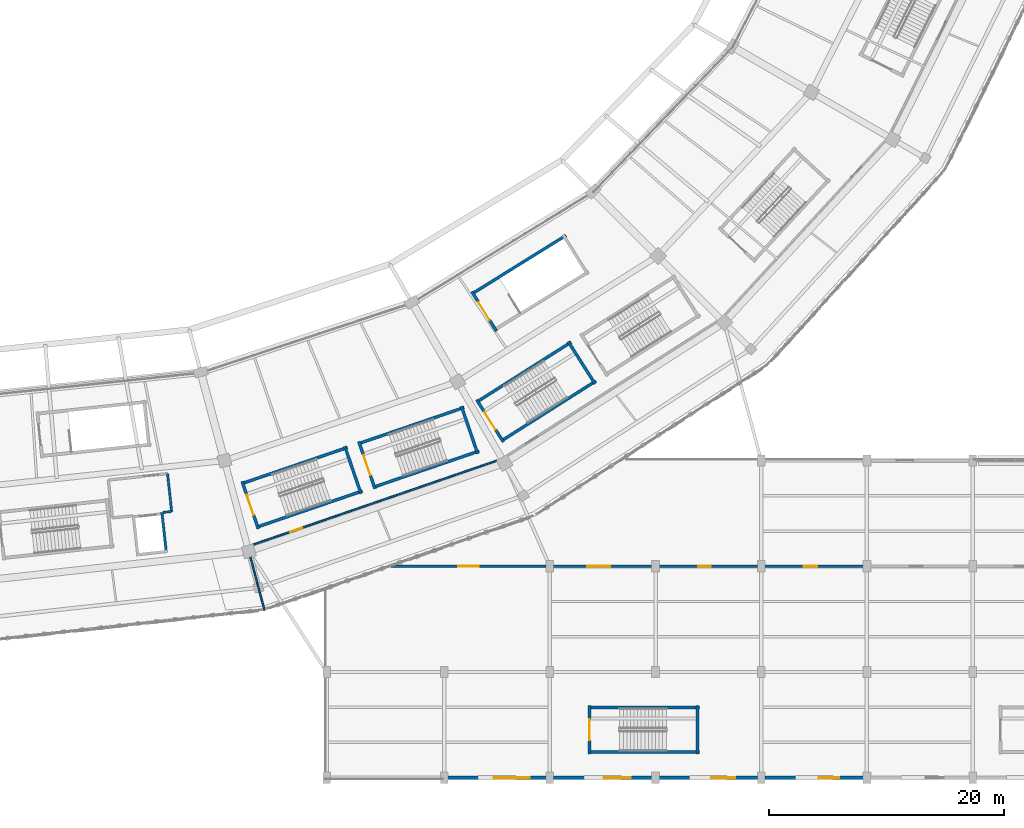
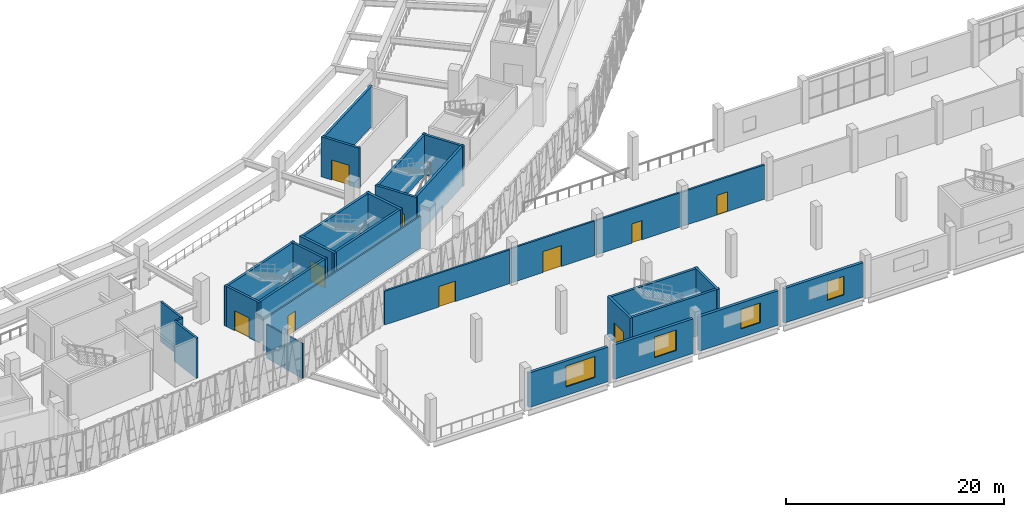
# One storey, part 102 of 179: 32 walls, 10 doors, 4 windows, 14 openings.
"""IFC4 building model written with IfcOpenShell, lengths in metres."""

import ifcopenshell
import ifcopenshell.guid

model = None  # the IFC model being written
_history = None  # IfcOwnerHistory: only IFC2X3 demands one
_inside = {}  # id of a spatial element -> (the spatial element, [elements in it])
_under = {}  # id of a project, library or spatial element -> (it, [spatial elements below it])
_declared = {}  # id of a project -> (the project, [libraries it declares])
_typed = {}  # id of a type object -> (the type object, [elements of that type])
_made_of = {}  # id of a material, layer set ... -> (it, [elements and type objects made of it])


def new_model(schema):
    """Start an empty IFC model of exactly this schema.

    Asked for "IFC4X3", IfcOpenShell would pick the latest addendum, in which some entities
    have other attributes; the version numbers below select the first issue.
    IFC2X3 requires an IfcOwnerHistory on every rooted entity: one is made here for all.
    """
    global model, _history
    if schema == "IFC4X3":
        model = ifcopenshell.file(schema_version=(4, 3, 0, 0))
    else:
        model = ifcopenshell.file(schema=schema)
    _inside.clear()
    _under.clear()
    _declared.clear()
    _typed.clear()
    _made_of.clear()
    _history = None
    if model.schema == "IFC2X3":
        org = make("IfcOrganization", Name="unknown")
        user = make(
            "IfcPersonAndOrganization",
            ThePerson=make("IfcPerson", FamilyName="unknown"),
            TheOrganization=org,
        )
        app = make(
            "IfcApplication",
            ApplicationDeveloper=org,
            Version="unknown",
            ApplicationFullName="unknown",
            ApplicationIdentifier="unknown",
        )
        _history = make(
            "IfcOwnerHistory",
            OwningUser=user,
            OwningApplication=app,
            ChangeAction="ADDED",
            CreationDate=0,
        )
    return model


def make(cls, **values):
    """One entity of the class cls with the attributes given. An attribute that is None is left unset."""
    return model.create_entity(
        cls, **{name: value for name, value in values.items() if value is not None}
    )


def rooted(cls, **values):
    """An entity with a GlobalId (a new one), such as an element, a storey or a relation."""
    return make(cls, GlobalId=ifcopenshell.guid.new(), OwnerHistory=_history, **values)


def si_unit(unit_type, name, prefix=None):
    """IfcSIUnit, for example si_unit("LENGTHUNIT", "METRE", prefix="MILLI")."""
    return make("IfcSIUnit", UnitType=unit_type, Prefix=prefix, Name=name)


def assignment(units):
    """IfcUnitAssignment: the units of a project."""
    return None if units is None else make("IfcUnitAssignment", Units=units)


def point(xyz):
    """IfcCartesianPoint."""
    return None if xyz is None else make("IfcCartesianPoint", Coordinates=xyz)


def direction(xyz):
    """IfcDirection."""
    return None if xyz is None else make("IfcDirection", DirectionRatios=xyz)


def frame(location, z_axis=None, x_axis=None):
    """IfcAxis2Placement3D, a coordinate frame: its origin and axes. An axis left out is left unset."""
    return make(
        "IfcAxis2Placement3D",
        Location=point(location),
        Axis=direction(z_axis),
        RefDirection=direction(x_axis),
    )


def frame_2d(location, x_axis=None):
    """IfcAxis2Placement2D, a coordinate frame in the plane: its origin and x axis."""
    return make(
        "IfcAxis2Placement2D", Location=point(location), RefDirection=direction(x_axis)
    )


def origin():
    """The frame at (0, 0, 0) with its axes left unset."""
    return frame((0.0, 0.0, 0.0))


def place(relative_to, where):
    """IfcLocalPlacement: puts the frame where relative to a parent placement (None: the world)."""
    return make(
        "IfcLocalPlacement", PlacementRelTo=relative_to, RelativePlacement=where
    )


def context(
    kind, dimensions, precision=None, world=None, true_north=None, identifier=None
):
    """IfcGeometricRepresentationContext, for example the 3D "Model" context."""
    return make(
        "IfcGeometricRepresentationContext",
        ContextIdentifier=identifier,
        ContextType=kind,
        CoordinateSpaceDimension=dimensions,
        Precision=precision,
        WorldCoordinateSystem=world,
        TrueNorth=true_north,
    )


def subcontext(parent, identifier, kind, view, scale=None):
    """IfcGeometricRepresentationSubContext, for example "Body" below "Model"."""
    return make(
        "IfcGeometricRepresentationSubContext",
        ContextIdentifier=identifier,
        ContextType=kind,
        ParentContext=parent,
        TargetScale=scale,
        TargetView=view,
    )


def project(units=None, contexts=None):
    """IfcProject with its units and contexts."""
    return rooted(
        "IfcProject",
        Name="project",
        RepresentationContexts=contexts,
        UnitsInContext=assignment(units),
    )


def spatial(cls, under=None, at=None, **own):
    """A site, building, storey or space (cls), placed at a placement, below another one or the project."""
    s = rooted(cls, ObjectPlacement=at, **own)
    if under is not None:
        _under.setdefault(under.id(), (under, []))[1].append(s)
    return s


def profile(cls, at=None, kind="AREA", **sizes):
    """A parametric profile (cls). Its sizes go by their IFC names, for example OverallWidth=200.0."""
    return make(cls, ProfileType=kind, Position=at, **sizes)


def rectangle(**sizes):
    """IfcRectangleProfileDef."""
    return profile("IfcRectangleProfileDef", **sizes)


def extrude(swept, where, along, depth):
    """IfcExtrudedAreaSolid: the profile swept, set in the frame where, extruded along a direction by depth."""
    return make(
        "IfcExtrudedAreaSolid",
        SweptArea=swept,
        Position=where,
        ExtrudedDirection=direction(along),
        Depth=depth,
    )


def shape(context_of_items, identifier, shape_type, items):
    """IfcShapeRepresentation: the items that make up one representation, for example the "Body"."""
    return make(
        "IfcShapeRepresentation",
        ContextOfItems=context_of_items,
        RepresentationIdentifier=identifier,
        RepresentationType=shape_type,
        Items=items,
    )


def material(Name=None, Category=None):
    """IfcMaterial."""
    return make("IfcMaterial", Name=Name, Category=Category)


def layer(
    of_material, thickness, ventilated=None, Name=None, Category=None, Priority=None
):
    """IfcMaterialLayer: one layer of a wall or slab, of a material (None: an air gap)."""
    return make(
        "IfcMaterialLayer",
        Material=of_material,
        LayerThickness=thickness,
        IsVentilated=ventilated,
        Name=Name,
        Category=Category,
        Priority=Priority,
    )


def layer_set(layers, Name=None):
    """IfcMaterialLayerSet."""
    return make("IfcMaterialLayerSet", MaterialLayers=layers, LayerSetName=Name)


def made_of(thing, what):
    """Note that an element or type object is made of a material, layer set ...; save() writes the relation."""
    if what is not None:
        _made_of.setdefault(what.id(), (what, []))[1].append(thing)
    return thing


def type_object(cls, material=None, **own):
    """A type object (cls), such as IfcWallType, which elements share."""
    return made_of(rooted(cls, **own), material)


def element(
    cls,
    number,
    at=None,
    inside=None,
    cuts=None,
    type_object=None,
    material=None,
    context=None,
    identifier="Body",
    shape_type=None,
    held_by="IfcProductDefinitionShape",
    body=None,
    shapes=None,
    **own,
):
    """One element of the class cls, such as IfcWall. Its Tag is "e" and its number.

    at: its placement. inside: the storey or other place that contains it. cuts: it is an
    opening in that element (IfcRelVoidsElement). A single representation is given by context,
    identifier, shape_type and body (its items); several are given by shapes. held_by: the class
    of the entity that holds the representations. save() writes the other relations.
    """
    e = rooted(cls, Tag="e%d" % number, ObjectPlacement=at, **own)
    if body is not None:
        shapes = [shape(context, identifier, shape_type, body)]
    if shapes is not None:
        e.Representation = make(held_by, Representations=shapes)
    if inside is not None:
        _inside.setdefault(inside.id(), (inside, []))[1].append(e)
    if cuts is not None:
        rooted(
            "IfcRelVoidsElement", RelatingBuildingElement=cuts, RelatedOpeningElement=e
        )
    if type_object is not None:
        _typed.setdefault(type_object.id(), (type_object, []))[1].append(e)
    return made_of(e, material)


def fill(opening, filler):
    """IfcRelFillsElement: the door or window that sits in an opening."""
    return rooted(
        "IfcRelFillsElement",
        RelatingOpeningElement=opening,
        RelatedBuildingElement=filler,
    )


def aggregate(whole, parts):
    """IfcRelAggregates: a whole, such as a stair, and the parts it consists of."""
    return rooted("IfcRelAggregates", RelatingObject=whole, RelatedObjects=parts)


def save(model, path):
    """Write the relations noted so far, then the file.

    IfcRelAggregates (storeys below a building ...), IfcRelContainedInSpatialStructure (elements
    in a storey), IfcRelDefinesByType, IfcRelAssociatesMaterial and IfcRelDeclares: one each for
    every whole, place, type object, material and project.
    """
    for whole, parts in _under.values():
        aggregate(whole, parts)
    for where, things in _inside.values():
        rooted(
            "IfcRelContainedInSpatialStructure",
            RelatedElements=things,
            RelatingStructure=where,
        )
    for kind, things in _typed.values():
        rooted("IfcRelDefinesByType", RelatedObjects=things, RelatingType=kind)
    for what, things in _made_of.values():
        rooted("IfcRelAssociatesMaterial", RelatedObjects=things, RelatingMaterial=what)
    for by, libraries in _declared.values():
        rooted("IfcRelDeclares", RelatingContext=by, RelatedDefinitions=libraries)
    model.write(path)


model = new_model("IFC4")

# Units and contexts
model_context = context("Model", 3, precision=1e-05, world=origin(), true_north=direction((0.0, 1.0)))
body_context = subcontext(model_context, "Body", "Model", "MODEL_VIEW")
ifc_project = project(units=[si_unit("LENGTHUNIT", "METRE"), si_unit("AREAUNIT", "SQUARE_METRE"), si_unit("VOLUMEUNIT", "CUBIC_METRE"), si_unit("PLANEANGLEUNIT", "RADIAN"), si_unit("MASSUNIT", "GRAM", prefix="KILO")], contexts=[model_context])

# Site, building, storey
site_placement = place(None, origin())
site = spatial("IfcSite", under=ifc_project, at=site_placement, CompositionType="ELEMENT")
building_placement = place(site_placement, origin())
building = spatial("IfcBuilding", under=site, at=building_placement, Name="Zevraka Park Crest Stadium", CompositionType="ELEMENT")
storey_placement = place(building_placement, frame((0.0, 0.0, 10.199951171875)))
storey = spatial("IfcBuildingStorey", under=building, at=storey_placement, Name="L02", CompositionType="ELEMENT", Elevation=10.199951171875)

# Wall, opening, window
ifc_material_1 = material(Name="Limestone and red clay brick masonry", Category="masonry")
ifc_layer_1 = layer(ifc_material_1, 0.300048828125)
ifc_layer_set_1 = layer_set([ifc_layer_1], Name="Limestone and red clay brick masonry")
wall_type_1 = type_object("IfcWallType", Name="EW02", PredefinedType="STANDARD", material=ifc_layer_set_1)
wall_1_placement = place(storey_placement, frame((187.699951171875, 0.0, 0.0), z_axis=(0.0, 0.0, 1.0), x_axis=(-1.0, 0.0, 0.0)))
wall_1 = element("IfcWall", 1, at=wall_1_placement, inside=storey, type_object=wall_type_1, Name="Wing External Cavity Wall EW02 L02-SE-S1-5", PredefinedType="STANDARD", context=body_context, shape_type="SweptSolid", body=[
    extrude(rectangle(XDim=8.39990234375, YDim=0.300048828125, at=frame_2d((4.199951171875, 0.0))), origin(), (0.0, 0.0, 1.0), 3.85498046875),
])
opening_1_placement = place(wall_1_placement, frame((2.06494140625, 0.0, 0.949951171875)))
opening_1 = element("IfcOpeningElement", 2, at=opening_1_placement, cuts=wall_1, Name="Opening WN33", PredefinedType="OPENING", context=body_context, shape_type="SweptSolid", body=[
    extrude(rectangle(XDim=1.75, YDim=2.10009765625, at=frame_2d((0.875, 1.050048828125))), frame((0.0, 0.159912109375, 0.0), z_axis=(0.0, -1.0, 0.0), x_axis=(1.0, 0.0, 0.0)), (0.0, 0.0, 1.0), 0.320068359375),
])
ifc_material_2 = material(Name="Solar-control laminated double glazing in aluminium frame", Category="aluminium")
window_type_1 = type_object("IfcWindowType", Name="WN33", PartitioningType="SINGLE_PANEL", PredefinedType="WINDOW", material=ifc_material_2)
window_1_placement = place(opening_1_placement, origin())
window_1 = element("IfcWindow", 3, at=window_1_placement, inside=storey, type_object=window_type_1, Name="Facade Casement Window WN33 W-L02-115", OverallHeight=2.10009765625, OverallWidth=1.75, PartitioningType="SINGLE_PANEL", PredefinedType="WINDOW", context=body_context, shape_type="SweptSolid", body=[
    extrude(rectangle(XDim=1.75, YDim=2.10009765625, at=frame_2d((0.875, 1.050048828125))), frame((0.0, 0.030029296875, 0.0), z_axis=(0.0, -1.0, 0.0), x_axis=(1.0, 0.0, 0.0)), (0.0, 0.0, 1.0), 0.06005859375),
])
fill(opening_1, window_1)

wall_2_placement = place(storey_placement, frame((178.699951171875, 0.0, 0.0), z_axis=(0.0, 0.0, 1.0), x_axis=(-1.0, 0.0, 0.0)))
wall_2 = element("IfcWall", 4, at=wall_2_placement, inside=storey, type_object=wall_type_1, Name="Wing External Cavity Wall EW02 L02-SE-S1-6", PredefinedType="STANDARD", context=body_context, shape_type="SweptSolid", body=[
    extrude(rectangle(XDim=8.39990234375, YDim=0.300048828125, at=frame_2d((4.199951171875, 0.0))), origin(), (0.0, 0.0, 1.0), 3.85498046875),
])
opening_2_placement = place(wall_2_placement, frame((1.9150390625, 0.0, 0.949951171875)))
opening_2 = element("IfcOpeningElement", 5, at=opening_2_placement, cuts=wall_2, Name="Opening WN34", PredefinedType="OPENING", context=body_context, shape_type="SweptSolid", body=[
    extrude(rectangle(XDim=2.050048828125, YDim=2.199951171875, at=frame_2d((1.02490234375, 1.10009765625))), frame((0.0, 0.159912109375, 0.0), z_axis=(0.0, -1.0, 0.0), x_axis=(1.0, 0.0, 0.0)), (0.0, 0.0, 1.0), 0.320068359375),
])
ifc_material_3 = material(Name="Solar-control laminated double glazing in aluminium frame", Category="aluminium")
window_type_2 = type_object("IfcWindowType", Name="WN34", PartitioningType="SINGLE_PANEL", PredefinedType="WINDOW", material=ifc_material_3)
window_2_placement = place(opening_2_placement, origin())
window_2 = element("IfcWindow", 6, at=window_2_placement, inside=storey, type_object=window_type_2, Name="Facade Casement Window WN34 W-L02-116", OverallHeight=2.199951171875, OverallWidth=2.050048828125, PartitioningType="SINGLE_PANEL", PredefinedType="WINDOW", context=body_context, shape_type="SweptSolid", body=[
    extrude(rectangle(XDim=2.050048828125, YDim=2.199951171875, at=frame_2d((1.02490234375, 1.10009765625))), frame((0.0, 0.030029296875, 0.0), z_axis=(0.0, -1.0, 0.0), x_axis=(1.0, 0.0, 0.0)), (0.0, 0.0, 1.0), 0.06005859375),
])
fill(opening_2, window_2)

wall_3_placement = place(storey_placement, frame((169.699951171875, 0.0, 0.0), z_axis=(0.0, 0.0, 1.0), x_axis=(-1.0, 0.0, 0.0)))
wall_3 = element("IfcWall", 7, at=wall_3_placement, inside=storey, type_object=wall_type_1, Name="Wing External Cavity Wall EW02 L02-SE-S1-7", PredefinedType="STANDARD", context=body_context, shape_type="SweptSolid", body=[
    extrude(rectangle(XDim=8.39990234375, YDim=0.300048828125, at=frame_2d((4.199951171875, 0.0))), origin(), (0.0, 0.0, 1.0), 3.85498046875),
])
opening_3_placement = place(wall_3_placement, frame((1.7900390625, 0.0, 0.949951171875)))
opening_3 = element("IfcOpeningElement", 8, at=opening_3_placement, cuts=wall_3, Name="Opening WN35", PredefinedType="OPENING", context=body_context, shape_type="SweptSolid", body=[
    extrude(rectangle(XDim=2.300048828125, YDim=2.300048828125, at=frame_2d((1.14990234375, 1.14990234375))), frame((0.0, 0.159912109375, 0.0), z_axis=(0.0, -1.0, 0.0), x_axis=(1.0, 0.0, 0.0)), (0.0, 0.0, 1.0), 0.320068359375),
])
ifc_material_4 = material(Name="Solar-control laminated double glazing in aluminium frame", Category="aluminium")
window_type_3 = type_object("IfcWindowType", Name="WN35", PartitioningType="SINGLE_PANEL", PredefinedType="WINDOW", material=ifc_material_4)
window_3_placement = place(opening_3_placement, origin())
window_3 = element("IfcWindow", 9, at=window_3_placement, inside=storey, type_object=window_type_3, Name="Facade Casement Window WN35 W-L02-117", OverallHeight=2.300048828125, OverallWidth=2.300048828125, PartitioningType="SINGLE_PANEL", PredefinedType="WINDOW", context=body_context, shape_type="SweptSolid", body=[
    extrude(rectangle(XDim=2.300048828125, YDim=2.300048828125, at=frame_2d((1.14990234375, 1.14990234375))), frame((0.0, 0.030029296875, 0.0), z_axis=(0.0, -1.0, 0.0), x_axis=(1.0, 0.0, 0.0)), (0.0, 0.0, 1.0), 0.06005859375),
])
fill(opening_3, window_3)

wall_4_placement = place(storey_placement, frame((160.699951171875, 0.0, 0.0), z_axis=(0.0, 0.0, 1.0), x_axis=(-1.0, 0.0, 0.0)))
wall_4 = element("IfcWall", 10, at=wall_4_placement, inside=storey, type_object=wall_type_1, Name="Wing External Cavity Wall EW02 L02-SE-S1-8", PredefinedType="STANDARD", context=body_context, shape_type="SweptSolid", body=[
    extrude(rectangle(XDim=8.39990234375, YDim=0.300048828125, at=frame_2d((4.199951171875, 0.0))), origin(), (0.0, 0.0, 1.0), 3.85498046875),
])
opening_4_placement = place(wall_4_placement, frame((1.389892578125, 0.0, 0.949951171875)))
opening_4 = element("IfcOpeningElement", 11, at=opening_4_placement, cuts=wall_4, Name="Opening WN36", PredefinedType="OPENING", context=body_context, shape_type="SweptSolid", body=[
    extrude(rectangle(XDim=3.10009765625, YDim=2.35009765625, at=frame_2d((1.550048828125, 1.175048828125))), frame((0.0, 0.159912109375, 0.0), z_axis=(0.0, -1.0, 0.0), x_axis=(1.0, 0.0, 0.0)), (0.0, 0.0, 1.0), 0.320068359375),
])
ifc_material_5 = material(Name="Solar-control laminated double glazing in aluminium frame", Category="aluminium")
window_type_4 = type_object("IfcWindowType", Name="WN36", PartitioningType="SINGLE_PANEL", PredefinedType="WINDOW", material=ifc_material_5)
window_4_placement = place(opening_4_placement, origin())
window_4 = element("IfcWindow", 12, at=window_4_placement, inside=storey, type_object=window_type_4, Name="Facade Casement Window WN36 W-L02-118", OverallHeight=2.35009765625, OverallWidth=3.10009765625, PartitioningType="SINGLE_PANEL", PredefinedType="WINDOW", context=body_context, shape_type="SweptSolid", body=[
    extrude(rectangle(XDim=3.10009765625, YDim=2.35009765625, at=frame_2d((1.550048828125, 1.175048828125))), frame((0.0, 0.030029296875, 0.0), z_axis=(0.0, -1.0, 0.0), x_axis=(1.0, 0.0, 0.0)), (0.0, 0.0, 1.0), 0.06005859375),
])
fill(opening_4, window_4)

# Walls
ifc_material_6 = material(Name="Autoclaved aerated masonry blockwork", Category="masonry")
ifc_layer_2 = layer(ifc_material_6, 0.199951171875)
ifc_layer_set_2 = layer_set([ifc_layer_2], Name="Autoclaved aerated masonry blockwork")
wall_type_2 = type_object("IfcWallType", Name="IW01", PredefinedType="PARTITIONING", material=ifc_layer_set_2)
wall_5_placement = place(storey_placement, frame((128.804931640625, 22.6650390625, 0.0), z_axis=(0.0, 0.0, 1.0), x_axis=(-0.994146742738, -0.108038205757, 0.0)))
element("IfcWall", 13, at=wall_5_placement, inside=storey, type_object=wall_type_2, Name="Firefighting Lift Lobby Wall IW01 FL04 L02 BACKL", PredefinedType="PARTITIONING", context=body_context, shape_type="SweptSolid", body=[
    extrude(rectangle(XDim=0.750244140625, YDim=0.199951171875, at=frame_2d((0.375, 0.0))), origin(), (0.0, 0.0, 1.0), 4.47998046875),
])
wall_6_placement = place(storey_placement, frame((128.804931640625, 22.6650390625, 0.0), z_axis=(0.0, 0.0, 1.0), x_axis=(-0.108280975823, 0.994120329877, 0.0)))
element("IfcWall", 14, at=wall_6_placement, inside=storey, type_object=wall_type_2, Name="Firefighting Lift Lobby Wall IW01 FL04 L02 LEFT", PredefinedType="PARTITIONING", context=body_context, shape_type="SweptSolid", body=[
    extrude(rectangle(XDim=3.239990234375, YDim=0.199951171875, at=frame_2d((1.6201171875, 0.0))), origin(), (0.0, 0.0, 1.0), 4.47998046875),
])

# Wall, opening, door
wall_7_placement = place(storey_placement, frame((147.4619140625, 18.0, 0.0), z_axis=(0.0, 0.0, 1.0), x_axis=(1.0, 0.0, 0.0)))
wall_7 = element("IfcWall", 15, at=wall_7_placement, inside=storey, type_object=wall_type_2, Name="Interior Partition IW01 HVAC Air-Handling Plant Room L02", PredefinedType="PARTITIONING", context=body_context, shape_type="SweptSolid", body=[
    extrude(rectangle(XDim=13.22802734375, YDim=0.199951171875, at=frame_2d((6.614013671875, 0.0))), origin(), (0.0, 0.0, 1.0), 3.783447265625),
])
opening_5_placement = place(wall_7_placement, frame((5.739013671875, 0.0, 0.0)))
opening_5 = element("IfcOpeningElement", 16, at=opening_5_placement, cuts=wall_7, Name="Opening D-L02-435", PredefinedType="OPENING", context=body_context, shape_type="SweptSolid", body=[
    extrude(rectangle(XDim=1.75, YDim=2.300048828125, at=frame_2d((0.875, 1.14990234375))), frame((0.0, 0.10986328125, 0.0), z_axis=(0.0, -1.0, 0.0), x_axis=(1.0, 0.0, 0.0)), (0.0, 0.0, 1.0), 0.219970703125),
])
ifc_material_7 = material(Name="Solid-core hardwood timber leaf in steel frame", Category="steel")
door_type_1 = type_object("IfcDoorType", Name="DR27", OperationType="NOTDEFINED", PredefinedType="DOOR", material=ifc_material_7)
door_1_placement = place(opening_5_placement, origin())
door_1 = element("IfcDoor", 17, at=door_1_placement, inside=storey, type_object=door_type_1, Name="HVAC Air-Handling Plant Room Door D-L02-435", OperationType="DOUBLE_DOOR_SINGLE_SWING", OverallHeight=2.300048828125, OverallWidth=1.75, PredefinedType="DOOR", context=body_context, shape_type="SweptSolid", body=[
    extrude(rectangle(XDim=1.75, YDim=2.300048828125, at=frame_2d((0.875, 1.14990234375))), frame((0.0, 0.02490234375, 0.0), z_axis=(0.0, -1.0, 0.0), x_axis=(1.0, 0.0, 0.0)), (0.0, 0.0, 1.0), 0.050048828125),
])
fill(opening_5, door_1)

wall_8_placement = place(storey_placement, frame((160.675048828125, 18.0, 0.0), z_axis=(0.0, 0.0, 1.0), x_axis=(1.0, 0.0, 0.0)))
wall_8 = element("IfcWall", 18, at=wall_8_placement, inside=storey, type_object=wall_type_2, Name="Interior Partition IW01 HVAC Air-Handling Plant Room L02", PredefinedType="PARTITIONING", context=body_context, shape_type="SweptSolid", body=[
    extrude(rectangle(XDim=9.014892578125, YDim=0.199951171875, at=frame_2d((4.50732421875, 0.0))), origin(), (0.0, 0.0, 1.0), 3.85498046875),
])
opening_6_placement = place(wall_8_placement, frame((3.531982421875, 0.0, 0.0)))
opening_6 = element("IfcOpeningElement", 19, at=opening_6_placement, cuts=wall_8, Name="Opening D-L02-436", PredefinedType="OPENING", context=body_context, shape_type="SweptSolid", body=[
    extrude(rectangle(XDim=1.949951171875, YDim=2.35009765625, at=frame_2d((0.97509765625, 1.175048828125))), frame((0.0, 0.10986328125, 0.0), z_axis=(0.0, -1.0, 0.0), x_axis=(1.0, 0.0, 0.0)), (0.0, 0.0, 1.0), 0.219970703125),
])
ifc_material_8 = material(Name="Solid-core hardwood timber leaf in steel frame", Category="steel")
door_type_2 = type_object("IfcDoorType", Name="DR28", OperationType="NOTDEFINED", PredefinedType="DOOR", material=ifc_material_8)
door_2_placement = place(opening_6_placement, origin())
door_2 = element("IfcDoor", 20, at=door_2_placement, inside=storey, type_object=door_type_2, Name="HVAC Air-Handling Plant Room Door D-L02-436", OperationType="DOUBLE_DOOR_SINGLE_SWING", OverallHeight=2.35009765625, OverallWidth=1.949951171875, PredefinedType="DOOR", context=body_context, shape_type="SweptSolid", body=[
    extrude(rectangle(XDim=1.949951171875, YDim=2.35009765625, at=frame_2d((0.97509765625, 1.175048828125))), frame((0.0, 0.02490234375, 0.0), z_axis=(0.0, -1.0, 0.0), x_axis=(1.0, 0.0, 0.0)), (0.0, 0.0, 1.0), 0.050048828125),
])
fill(opening_6, door_2)

wall_9_placement = place(storey_placement, frame((169.675048828125, 18.0, 0.0), z_axis=(0.0, 0.0, 1.0), x_axis=(1.0, 0.0, 0.0)))
wall_9 = element("IfcWall", 21, at=wall_9_placement, inside=storey, type_object=wall_type_2, Name="Interior Partition IW01 HVAC Air-Handling Plant Room L02", PredefinedType="PARTITIONING", context=body_context, shape_type="SweptSolid", body=[
    extrude(rectangle(XDim=9.014892578125, YDim=0.199951171875, at=frame_2d((4.50732421875, 0.0))), origin(), (0.0, 0.0, 1.0), 3.85498046875),
])
opening_7_placement = place(wall_9_placement, frame((3.98193359375, 0.0, 0.0)))
opening_7 = element("IfcOpeningElement", 22, at=opening_7_placement, cuts=wall_9, Name="Opening D-L02-437", PredefinedType="OPENING", context=body_context, shape_type="SweptSolid", body=[
    extrude(rectangle(XDim=1.050048828125, YDim=2.14990234375, at=frame_2d((0.52490234375, 1.074951171875))), frame((0.0, 0.10986328125, 0.0), z_axis=(0.0, -1.0, 0.0), x_axis=(1.0, 0.0, 0.0)), (0.0, 0.0, 1.0), 0.219970703125),
])
ifc_material_9 = material(Name="Solid-core hardwood timber leaf in steel frame", Category="steel")
door_type_3 = type_object("IfcDoorType", Name="DR02", OperationType="NOTDEFINED", PredefinedType="DOOR", material=ifc_material_9)
door_3_placement = place(opening_7_placement, origin())
door_3 = element("IfcDoor", 23, at=door_3_placement, inside=storey, type_object=door_type_3, Name="HVAC Air-Handling Plant Room Door D-L02-437", OperationType="SINGLE_SWING_LEFT", OverallHeight=2.14990234375, OverallWidth=1.050048828125, PredefinedType="DOOR", context=body_context, shape_type="SweptSolid", body=[
    extrude(rectangle(XDim=1.050048828125, YDim=2.14990234375, at=frame_2d((0.52490234375, 1.074951171875))), frame((0.0, 0.02490234375, 0.0), z_axis=(0.0, -1.0, 0.0), x_axis=(1.0, 0.0, 0.0)), (0.0, 0.0, 1.0), 0.050048828125),
])
fill(opening_7, door_3)

wall_10_placement = place(storey_placement, frame((178.675048828125, 18.0, 0.0), z_axis=(0.0, 0.0, 1.0), x_axis=(1.0, 0.0, 0.0)))
wall_10 = element("IfcWall", 24, at=wall_10_placement, inside=storey, type_object=wall_type_2, Name="Interior Partition IW01 HVAC Air-Handling Plant Room L02", PredefinedType="PARTITIONING", context=body_context, shape_type="SweptSolid", body=[
    extrude(rectangle(XDim=9.014892578125, YDim=0.199951171875, at=frame_2d((4.50732421875, 0.0))), origin(), (0.0, 0.0, 1.0), 3.85498046875),
])
opening_8_placement = place(wall_10_placement, frame((3.931884765625, 0.0, 0.0)))
opening_8 = element("IfcOpeningElement", 25, at=opening_8_placement, cuts=wall_10, Name="Opening D-L02-438", PredefinedType="OPENING", context=body_context, shape_type="SweptSolid", body=[
    extrude(rectangle(XDim=1.14990234375, YDim=2.199951171875, at=frame_2d((0.574951171875, 1.10009765625))), frame((0.0, 0.10986328125, 0.0), z_axis=(0.0, -1.0, 0.0), x_axis=(1.0, 0.0, 0.0)), (0.0, 0.0, 1.0), 0.219970703125),
])
ifc_material_10 = material(Name="Solid-core hardwood timber leaf in steel frame", Category="steel")
door_type_4 = type_object("IfcDoorType", Name="DR03", OperationType="NOTDEFINED", PredefinedType="DOOR", material=ifc_material_10)
door_4_placement = place(opening_8_placement, origin())
door_4 = element("IfcDoor", 26, at=door_4_placement, inside=storey, type_object=door_type_4, Name="HVAC Air-Handling Plant Room Door D-L02-438", OperationType="SINGLE_SWING_RIGHT", OverallHeight=2.199951171875, OverallWidth=1.14990234375, PredefinedType="DOOR", context=body_context, shape_type="SweptSolid", body=[
    extrude(rectangle(XDim=1.14990234375, YDim=2.199951171875, at=frame_2d((0.574951171875, 1.10009765625))), frame((0.0, 0.02490234375, 0.0), z_axis=(0.0, -1.0, 0.0), x_axis=(1.0, 0.0, 0.0)), (0.0, 0.0, 1.0), 0.050048828125),
])
fill(opening_8, door_4)

ifc_material_11 = material(Name="Fire-rated twin-stud acoustic drywall", Category="other")
ifc_layer_3 = layer(ifc_material_11, 0.139892578125)
ifc_layer_set_3 = layer_set([ifc_layer_3], Name="Fire-rated twin-stud acoustic drywall")
wall_type_3 = type_object("IfcWallType", Name="IW03", PredefinedType="PARTITIONING", material=ifc_layer_set_3)
wall_11_placement = place(storey_placement, frame((135.74609375, 19.837890625, 0.0), z_axis=(0.0, 0.0, 1.0), x_axis=(0.94529233531, 0.326224463834, 0.0)))
wall_11 = element("IfcWall", 27, at=wall_11_placement, inside=storey, type_object=wall_type_3, Name="Interior Partition IW03 Stadium Administration Office L02", PredefinedType="PARTITIONING", context=body_context, shape_type="SweptSolid", body=[
    extrude(rectangle(XDim=21.948486328125, YDim=0.139892578125, at=frame_2d((10.97412109375, 0.0))), origin(), (0.0, 0.0, 1.0), 3.56494140625),
])
opening_9_placement = place(wall_11_placement, frame((3.341064453125, 0.0, 0.0)))
opening_9 = element("IfcOpeningElement", 28, at=opening_9_placement, cuts=wall_11, Name="Opening D-L02-413", PredefinedType="OPENING", context=body_context, shape_type="SweptSolid", body=[
    extrude(rectangle(XDim=1.080078125, YDim=2.199951171875, at=frame_2d((0.5400390625, 1.10009765625))), frame((0.0, 0.079833984375, 0.0), z_axis=(0.0, -1.0, 0.0), x_axis=(1.0, 0.0, 0.0)), (0.0, 0.0, 1.0), 0.159912109375),
])
ifc_material_12 = material(Name="Solid-core hardwood timber leaf in steel frame", Category="steel")
door_type_5 = type_object("IfcDoorType", Name="DR22", OperationType="NOTDEFINED", PredefinedType="DOOR", material=ifc_material_12)
door_5_placement = place(opening_9_placement, origin())
door_5 = element("IfcDoor", 29, at=door_5_placement, inside=storey, type_object=door_type_5, Name="Stadium Administration Office Door D-L02-413", OperationType="SINGLE_SWING_LEFT", OverallHeight=2.199951171875, OverallWidth=1.080078125, PredefinedType="DOOR", context=body_context, shape_type="SweptSolid", body=[
    extrude(rectangle(XDim=1.080078125, YDim=2.199951171875, at=frame_2d((0.5400390625, 1.10009765625))), frame((0.0, 0.02490234375, 0.0), z_axis=(0.0, -1.0, 0.0), x_axis=(1.0, 0.0, 0.0)), (0.0, 0.0, 1.0), 0.050048828125),
])
fill(opening_9, door_5)

# Walls
wall_12_placement = place(storey_placement, frame((135.5029296875, 18.77294921875, 0.0), z_axis=(0.0, 0.0, 1.0), x_axis=(0.258875784953, -0.965910621106, 0.0)))
element("IfcWall", 30, at=wall_12_placement, inside=storey, type_object=wall_type_3, Name="Interior Partition IW03 Stadium Administration Office L02", PredefinedType="PARTITIONING", context=body_context, shape_type="SweptSolid", body=[
    extrude(rectangle(XDim=2.329345703125, YDim=0.139892578125, at=frame_2d((1.16455078125, 0.0))), origin(), (0.0, 0.0, 1.0), 3.783447265625),
])
wall_13_placement = place(storey_placement, frame((136.10302734375, 16.5380859375, 0.0), z_axis=(0.0, 0.0, 1.0), x_axis=(0.258436451023, -0.966028260861, 0.0)))
element("IfcWall", 31, at=wall_13_placement, inside=storey, type_object=wall_type_3, Name="Interior Partition IW03 Stadium Administration Office L02", PredefinedType="PARTITIONING", context=body_context, shape_type="SweptSolid", body=[
    extrude(rectangle(XDim=2.3759765625, YDim=0.139892578125, at=frame_2d((1.18798828125, 0.0))), origin(), (0.0, 0.0, 1.0), 3.9150390625),
])
ifc_material_13 = material(Name="Concrete C40/50", Category="concrete")
ifc_layer_4 = layer(ifc_material_13, 0.25)
ifc_layer_set_4 = layer_set([ifc_layer_4], Name="Concrete C40/50")
wall_type_4 = type_object("IfcWallType", Name="SW01", PredefinedType="SHEAR", material=ifc_layer_set_4)
wall_14_placement = place(storey_placement, frame((136.00732421875, 21.314208984375, 0.0), z_axis=(0.0, 0.0, 1.0), x_axis=(0.946064424228, 0.323978556712, 0.0)))
element("IfcWall", 32, at=wall_14_placement, inside=storey, type_object=wall_type_4, Name="Stair Core Shear Wall SW01 ST20 L02 left", PredefinedType="SHEAR", context=body_context, shape_type="SweptSolid", body=[
    extrude(rectangle(XDim=9.550048828125, YDim=0.25, at=frame_2d((4.77490234375, 0.0))), origin(), (0.0, 0.0, 1.0), 4.5),
])
wall_15_placement = place(storey_placement, frame((143.7724609375, 28.116943359375, 0.0), z_axis=(0.0, 0.0, 1.0), x_axis=(-0.946067107432, -0.323970721263, 0.0)))
element("IfcWall", 33, at=wall_15_placement, inside=storey, type_object=wall_type_4, Name="Stair Core Shear Wall SW01 ST20 L02 right", PredefinedType="SHEAR", context=body_context, shape_type="SweptSolid", body=[
    extrude(rectangle(XDim=9.55029296875, YDim=0.25, at=frame_2d((4.775146484375, 0.0))), origin(), (0.0, 0.0, 1.0), 4.5),
])

# Wall, opening, door
wall_16_placement = place(storey_placement, frame((134.800537109375, 25.22412109375, 0.0), z_axis=(0.0, 0.0, 1.0), x_axis=(0.323988758717, -0.946060930504, 0.0)))
wall_16 = element("IfcWall", 34, at=wall_16_placement, inside=storey, type_object=wall_type_4, Name="Stair Core Shear Wall SW01 ST20 L02 near", PredefinedType="SHEAR", context=body_context, shape_type="SweptSolid", body=[
    extrude(rectangle(XDim=4.259765625, YDim=0.25, at=frame_2d((2.1298828125, 0.0))), origin(), (0.0, 0.0, 1.0), 4.5),
])
opening_10_placement = place(wall_16_placement, frame((1.22998046875, 0.0, 0.0)))
opening_10 = element("IfcOpeningElement", 35, at=opening_10_placement, cuts=wall_16, Name="Opening D-L02-119", PredefinedType="OPENING", context=body_context, shape_type="SweptSolid", body=[
    extrude(rectangle(XDim=1.800048828125, YDim=2.25, at=frame_2d((0.89990234375, 1.125))), frame((0.0, 0.135009765625, 0.0), z_axis=(0.0, -1.0, 0.0), x_axis=(1.0, 0.0, 0.0)), (0.0, 0.0, 1.0), 0.27001953125),
])
ifc_material_14 = material(Name="Solid-core hardwood timber leaf in steel frame", Category="steel")
door_type_6 = type_object("IfcDoorType", Name="DR04", OperationType="NOTDEFINED", PredefinedType="DOOR", material=ifc_material_14)
door_6_placement = place(opening_10_placement, origin())
door_6 = element("IfcDoor", 36, at=door_6_placement, inside=storey, type_object=door_type_6, Name="Protected Stair Entry Door ST20 L02", OperationType="DOUBLE_DOOR_SINGLE_SWING", OverallHeight=2.25, OverallWidth=1.800048828125, PredefinedType="DOOR", context=body_context, shape_type="SweptSolid", body=[
    extrude(rectangle(XDim=1.800048828125, YDim=2.25, at=frame_2d((0.89990234375, 1.125))), frame((0.0, 0.02490234375, 0.0), z_axis=(0.0, -1.0, 0.0), x_axis=(1.0, 0.0, 0.0)), (0.0, 0.0, 1.0), 0.050048828125),
])
fill(opening_10, door_6)

# Walls
wall_17_placement = place(storey_placement, frame((144.92236328125, 24.1875, 0.0), z_axis=(0.0, 0.0, 1.0), x_axis=(-0.323971192516, 0.946066946056, 0.0)))
element("IfcWall", 37, at=wall_17_placement, inside=storey, type_object=wall_type_4, Name="Stair Core Shear Wall SW01 ST20 L02 far", PredefinedType="SHEAR", context=body_context, shape_type="SweptSolid", body=[
    extrude(rectangle(XDim=4.260009765625, YDim=0.25, at=frame_2d((2.1298828125, 0.0))), origin(), (0.0, 0.0, 1.0), 4.5),
])
for number, where, z_axis, x_axis, name in (
    (38, (156.852783203125, 28.656494140625, 0.0), (0.0, 0.0, 1.0), (0.844391246241, 0.535727004427, 0.0), "Stair Core Shear Wall SW01 ST21 L02 left"),
    (39, (162.816650390625, 37.082763671875, 0.0), (0.0, 0.0, 1.0), (-0.844391246241, -0.535727004427, 0.0), "Stair Core Shear Wall SW01 ST21 L02 right"),
):
    element("IfcWall", number, at=place(storey_placement, frame(where, z_axis=z_axis, x_axis=x_axis)), inside=storey, type_object=wall_type_4, Name=name, PredefinedType="SHEAR", context=body_context, shape_type="SweptSolid", body=[
        extrude(rectangle(XDim=9.550048828125, YDim=0.25, at=frame_2d((4.77490234375, 0.0))), origin(), (0.0, 0.0, 1.0), 4.5),
    ])

# Wall, opening, door
wall_18_placement = place(storey_placement, frame((154.767333984375, 32.177001953125, 0.0), z_axis=(0.0, 0.0, 1.0), x_axis=(0.535684577572, -0.844418162613, 0.0)))
wall_18 = element("IfcWall", 40, at=wall_18_placement, inside=storey, type_object=wall_type_4, Name="Stair Core Shear Wall SW01 ST21 L02 near", PredefinedType="SHEAR", context=body_context, shape_type="SweptSolid", body=[
    extrude(rectangle(XDim=4.260009765625, YDim=0.25, at=frame_2d((2.1298828125, 0.0))), origin(), (0.0, 0.0, 1.0), 4.5),
])
opening_11_placement = place(wall_18_placement, frame((1.22998046875, 0.0, 0.0)))
opening_11 = element("IfcOpeningElement", 41, at=opening_11_placement, cuts=wall_18, Name="Opening D-L02-126", PredefinedType="OPENING", context=body_context, shape_type="SweptSolid", body=[
    extrude(rectangle(XDim=1.800048828125, YDim=2.25, at=frame_2d((0.89990234375, 1.125))), frame((0.0, 0.135009765625, 0.0), z_axis=(0.0, -1.0, 0.0), x_axis=(1.0, 0.0, 0.0)), (0.0, 0.0, 1.0), 0.27001953125),
])
door_7_placement = place(opening_11_placement, origin())
door_7 = element("IfcDoor", 42, at=door_7_placement, inside=storey, type_object=door_type_6, Name="Protected Stair Entry Door ST21 L02", OperationType="DOUBLE_DOOR_SINGLE_SWING", OverallHeight=2.25, OverallWidth=1.800048828125, PredefinedType="DOOR", context=body_context, shape_type="SweptSolid", body=[
    extrude(rectangle(XDim=1.800048828125, YDim=2.25, at=frame_2d((0.89990234375, 1.125))), frame((0.0, 0.02490234375, 0.0), z_axis=(0.0, -1.0, 0.0), x_axis=(1.0, 0.0, 0.0)), (0.0, 0.0, 1.0), 0.050048828125),
])
fill(opening_11, door_7)

# Walls
wall_19_placement = place(storey_placement, frame((164.8515625, 33.530029296875, 0.0), z_axis=(0.0, 0.0, 1.0), x_axis=(-0.53572544074, 0.844392238325, 0.0)))
element("IfcWall", 43, at=wall_19_placement, inside=storey, type_object=wall_type_4, Name="Stair Core Shear Wall SW01 ST21 L02 far", PredefinedType="SHEAR", context=body_context, shape_type="SweptSolid", body=[
    extrude(rectangle(XDim=4.260009765625, YDim=0.25, at=frame_2d((2.1298828125, 0.0))), origin(), (0.0, 0.0, 1.0), 4.5),
])
for number, where, z_axis, x_axis, name in (
    (44, (145.94140625, 24.71533203125, 0.0), (0.0, 0.0, 1.0), (0.946064424228, 0.323978556712, 0.0), "Stair Core Shear Wall SW01 ST31 L02 left"),
    (45, (153.706298828125, 31.517822265625, 0.0), (0.0, 0.0, 1.0), (-0.946064424228, -0.323978556712, 0.0), "Stair Core Shear Wall SW01 ST31 L02 right"),
):
    element("IfcWall", number, at=place(storey_placement, frame(where, z_axis=z_axis, x_axis=x_axis)), inside=storey, type_object=wall_type_4, Name=name, PredefinedType="SHEAR", context=body_context, shape_type="SweptSolid", body=[
        extrude(rectangle(XDim=9.550048828125, YDim=0.25, at=frame_2d((4.77490234375, 0.0))), origin(), (0.0, 0.0, 1.0), 4.5),
    ])

# Wall, opening, door
wall_20_placement = place(storey_placement, frame((144.734619140625, 28.625244140625, 0.0), z_axis=(0.0, 0.0, 1.0), x_axis=(0.323971192516, -0.946066946056, 0.0)))
wall_20 = element("IfcWall", 46, at=wall_20_placement, inside=storey, type_object=wall_type_4, Name="Stair Core Shear Wall SW01 ST31 L02 near", PredefinedType="SHEAR", context=body_context, shape_type="SweptSolid", body=[
    extrude(rectangle(XDim=4.260009765625, YDim=0.25, at=frame_2d((2.1298828125, 0.0))), origin(), (0.0, 0.0, 1.0), 4.5),
])
opening_12_placement = place(wall_20_placement, frame((1.22998046875, 0.0, 0.0)))
opening_12 = element("IfcOpeningElement", 47, at=opening_12_placement, cuts=wall_20, Name="Opening D-L02-178", PredefinedType="OPENING", context=body_context, shape_type="SweptSolid", body=[
    extrude(rectangle(XDim=1.800048828125, YDim=2.25, at=frame_2d((0.89990234375, 1.125))), frame((0.0, 0.135009765625, 0.0), z_axis=(0.0, -1.0, 0.0), x_axis=(1.0, 0.0, 0.0)), (0.0, 0.0, 1.0), 0.27001953125),
])
door_8_placement = place(opening_12_placement, origin())
door_8 = element("IfcDoor", 48, at=door_8_placement, inside=storey, type_object=door_type_6, Name="Protected Stair Entry Door ST31 L02", OperationType="DOUBLE_DOOR_SINGLE_SWING", OverallHeight=2.25, OverallWidth=1.800048828125, PredefinedType="DOOR", context=body_context, shape_type="SweptSolid", body=[
    extrude(rectangle(XDim=1.800048828125, YDim=2.25, at=frame_2d((0.89990234375, 1.125))), frame((0.0, 0.02490234375, 0.0), z_axis=(0.0, -1.0, 0.0), x_axis=(1.0, 0.0, 0.0)), (0.0, 0.0, 1.0), 0.050048828125),
])
fill(opening_12, door_8)

# Walls
wall_21_placement = place(storey_placement, frame((154.8564453125, 27.588623046875, 0.0), z_axis=(0.0, 0.0, 1.0), x_axis=(-0.323988758717, 0.946060930504, 0.0)))
element("IfcWall", 49, at=wall_21_placement, inside=storey, type_object=wall_type_4, Name="Stair Core Shear Wall SW01 ST31 L02 far", PredefinedType="SHEAR", context=body_context, shape_type="SweptSolid", body=[
    extrude(rectangle(XDim=4.259765625, YDim=0.25, at=frame_2d((2.1298828125, 0.0))), origin(), (0.0, 0.0, 1.0), 4.5),
])
wall_22_placement = place(storey_placement, frame((162.378662109375, 46.159912109375, 0.0), z_axis=(0.0, 0.0, 1.0), x_axis=(-0.849684869763, -0.527290832554, 0.0)))
element("IfcWall", 50, at=wall_22_placement, inside=storey, type_object=wall_type_4, Name="Stair Core Shear Wall SW01 ST43 L02 right", PredefinedType="SHEAR", context=body_context, shape_type="SweptSolid", body=[
    extrude(rectangle(XDim=9.449951171875, YDim=0.25, at=frame_2d((4.72509765625, 0.0))), origin(), (0.0, 0.0, 1.0), 4.5),
])

# Wall, opening, door
wall_23_placement = place(storey_placement, frame((154.365478515625, 41.387451171875, 0.0), z_axis=(0.0, 0.0, 1.0), x_axis=(0.527303008499, -0.849677313589, 0.0)))
wall_23 = element("IfcWall", 51, at=wall_23_placement, inside=storey, type_object=wall_type_4, Name="Stair Core Shear Wall SW01 ST43 L02 near", PredefinedType="SHEAR", context=body_context, shape_type="SweptSolid", body=[
    extrude(rectangle(XDim=3.9599609375, YDim=0.25, at=frame_2d((1.97998046875, 0.0))), origin(), (0.0, 0.0, 1.0), 4.5),
])
opening_13_placement = place(wall_23_placement, frame((1.080078125, 0.0, 0.0)))
opening_13 = element("IfcOpeningElement", 52, at=opening_13_placement, cuts=wall_23, Name="Opening D-L02-228", PredefinedType="OPENING", context=body_context, shape_type="SweptSolid", body=[
    extrude(rectangle(XDim=1.800048828125, YDim=2.25, at=frame_2d((0.89990234375, 1.125))), frame((0.0, 0.135009765625, 0.0), z_axis=(0.0, -1.0, 0.0), x_axis=(1.0, 0.0, 0.0)), (0.0, 0.0, 1.0), 0.27001953125),
])
door_9_placement = place(opening_13_placement, origin())
door_9 = element("IfcDoor", 53, at=door_9_placement, inside=storey, type_object=door_type_6, Name="Protected Stair Entry Door ST43 L02", OperationType="DOUBLE_DOOR_SINGLE_SWING", OverallHeight=2.25, OverallWidth=1.800048828125, PredefinedType="DOOR", context=body_context, shape_type="SweptSolid", body=[
    extrude(rectangle(XDim=1.800048828125, YDim=2.25, at=frame_2d((0.89990234375, 1.125))), frame((0.0, 0.02490234375, 0.0), z_axis=(0.0, -1.0, 0.0), x_axis=(1.0, 0.0, 0.0)), (0.0, 0.0, 1.0), 0.050048828125),
])
fill(opening_13, door_9)

# Walls
for number, where, z_axis, x_axis, name in (
    (54, (164.25, 2.169921875, 0.0), (0.0, 0.0, 1.0), (1.0, 0.0, 0.0), "Stair Core Shear Wall SW01 ST53 L02 left"),
    (55, (173.75, 5.989990234375, 0.0), (0.0, 0.0, 1.0), (-1.0, 0.0, 0.0), "Stair Core Shear Wall SW01 ST53 L02 right"),
):
    element("IfcWall", number, at=place(storey_placement, frame(where, z_axis=z_axis, x_axis=x_axis)), inside=storey, type_object=wall_type_4, Name=name, PredefinedType="SHEAR", context=body_context, shape_type="SweptSolid", body=[
        extrude(rectangle(XDim=9.5, YDim=0.25, at=frame_2d((4.75, 0.0))), origin(), (0.0, 0.0, 1.0), 4.5),
    ])

# Wall, opening, door
wall_24_placement = place(storey_placement, frame((164.375, 6.159912109375, 0.0), z_axis=(0.0, 0.0, 1.0), x_axis=(0.0, -1.0, 0.0)))
wall_24 = element("IfcWall", 56, at=wall_24_placement, inside=storey, type_object=wall_type_4, Name="Stair Core Shear Wall SW01 ST53 L02 near", PredefinedType="SHEAR", context=body_context, shape_type="SweptSolid", body=[
    extrude(rectangle(XDim=4.159912109375, YDim=0.25, at=frame_2d((2.080078125, 0.0))), origin(), (0.0, 0.0, 1.0), 4.5),
])
opening_14_placement = place(wall_24_placement, frame((1.179931640625, 0.0, 0.0)))
opening_14 = element("IfcOpeningElement", 57, at=opening_14_placement, cuts=wall_24, Name="Opening D-L02-276", PredefinedType="OPENING", context=body_context, shape_type="SweptSolid", body=[
    extrude(rectangle(XDim=1.800048828125, YDim=2.25, at=frame_2d((0.89990234375, 1.125))), frame((0.0, 0.135009765625, 0.0), z_axis=(0.0, -1.0, 0.0), x_axis=(1.0, 0.0, 0.0)), (0.0, 0.0, 1.0), 0.27001953125),
])
door_10_placement = place(opening_14_placement, origin())
door_10 = element("IfcDoor", 58, at=door_10_placement, inside=storey, type_object=door_type_6, Name="Protected Stair Entry Door ST53 L02", OperationType="DOUBLE_DOOR_SINGLE_SWING", OverallHeight=2.25, OverallWidth=1.800048828125, PredefinedType="DOOR", context=body_context, shape_type="SweptSolid", body=[
    extrude(rectangle(XDim=1.800048828125, YDim=2.25, at=frame_2d((0.89990234375, 1.125))), frame((0.0, 0.02490234375, 0.0), z_axis=(0.0, -1.0, 0.0), x_axis=(1.0, 0.0, 0.0)), (0.0, 0.0, 1.0), 0.050048828125),
])
fill(opening_14, door_10)

# Walls
wall_25_placement = place(storey_placement, frame((173.56494140625, 2.0, 0.0), z_axis=(0.0, 0.0, 1.0), x_axis=(0.0, 1.0, 0.0)))
element("IfcWall", 59, at=wall_25_placement, inside=storey, type_object=wall_type_4, Name="Stair Core Shear Wall SW01 ST53 L02 far", PredefinedType="SHEAR", context=body_context, shape_type="SweptSolid", body=[
    extrude(rectangle(XDim=4.159912109375, YDim=0.25, at=frame_2d((2.080078125, 0.0))), origin(), (0.0, 0.0, 1.0), 4.5),
])
ifc_material_15 = material(Name="Concrete C40/50", Category="concrete")
ifc_layer_5 = layer(ifc_material_15, 0.219970703125)
ifc_layer_set_5 = layer_set([ifc_layer_5], Name="Concrete C40/50")
wall_type_5 = type_object("IfcWallType", Name="SW02", PredefinedType="SHEAR", material=ifc_layer_set_5)
wall_26_placement = place(storey_placement, frame((128.343994140625, 19.155029296875, 0.0), z_axis=(0.0, 0.0, 1.0), x_axis=(-0.108748511736, 0.994069293961, 0.0)))
element("IfcWall", 60, at=wall_26_placement, inside=storey, type_object=wall_type_5, Name="Lift Shaft Shear Wall SW02 FL04 L02-2", PredefinedType="SHEAR", context=body_context, shape_type="SweptSolid", body=[
    extrude(rectangle(XDim=3.439453125, YDim=0.219970703125, at=frame_2d((1.7197265625, 0.0))), origin(), (0.0, 0.0, 1.0), 4.5),
])

save(model, "model.ifc")
